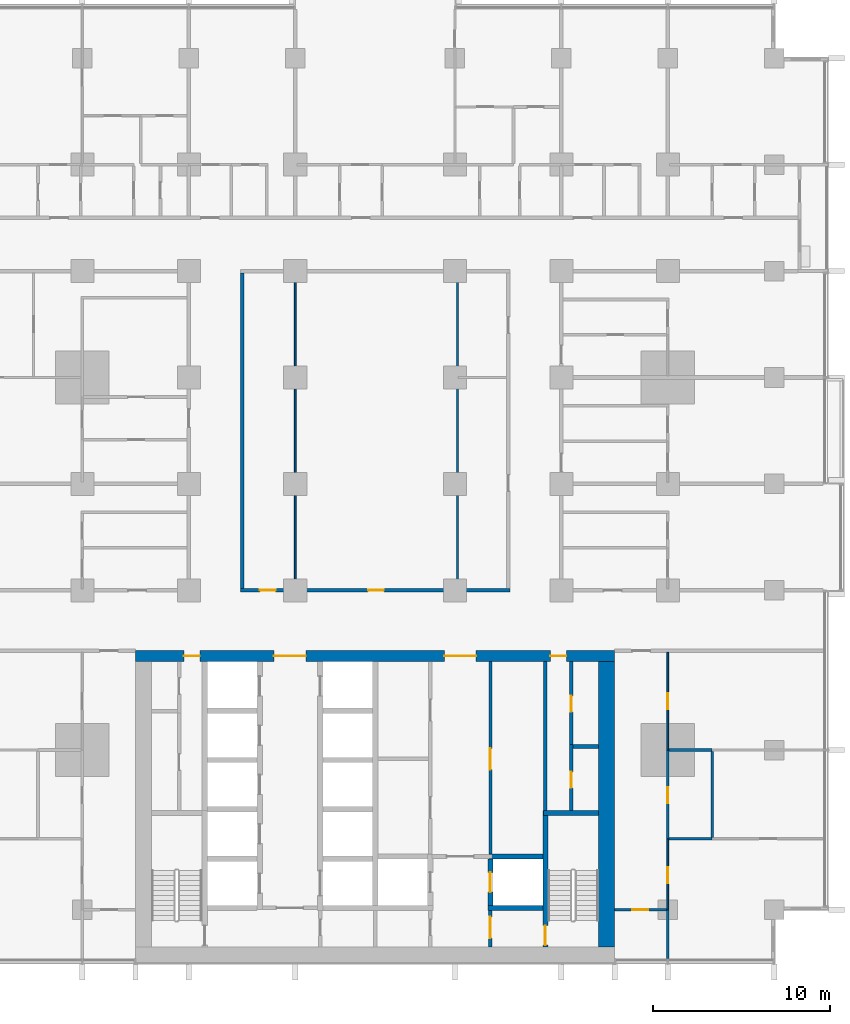
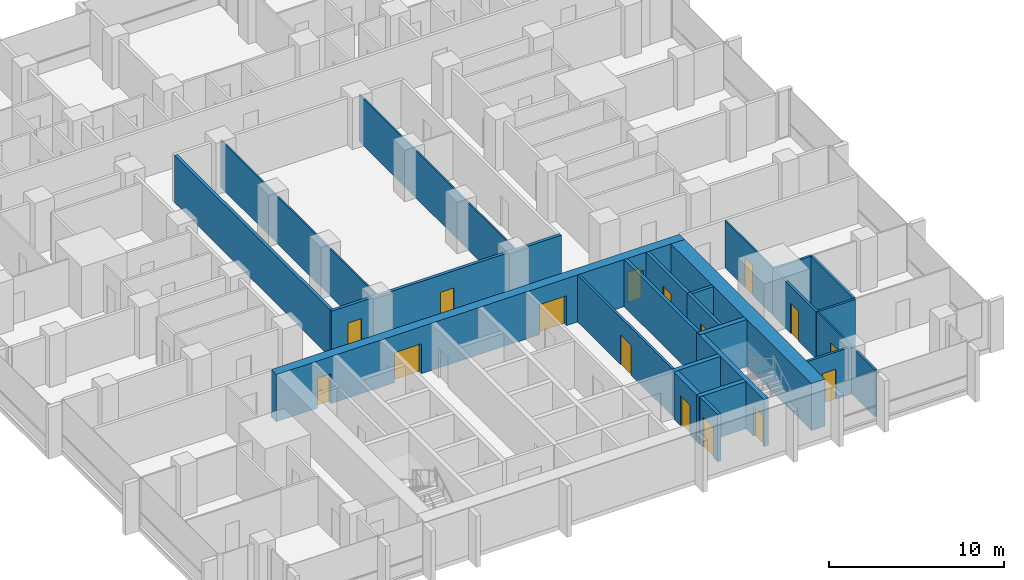
# One storey, part 9 of 18: 25 walls, 16 doors, 16 openings.
"""IFC4 building model written with IfcOpenShell, lengths in metres."""

from ifc_helpers import new_model, si_unit, direction, frame, frame_2d, origin, place, context, subcontext, project, spatial, rectangle, extrude, material, layer, layer_set, type_object, element, fill, save


model = new_model("IFC4")

# Units and contexts
model_context = context("Model", 3, precision=1e-05, world=origin(), true_north=direction((0.0, 1.0)))
body_context = subcontext(model_context, "Body", "Model", "MODEL_VIEW")
ifc_project = project(units=[si_unit("LENGTHUNIT", "METRE"), si_unit("AREAUNIT", "SQUARE_METRE"), si_unit("VOLUMEUNIT", "CUBIC_METRE"), si_unit("PLANEANGLEUNIT", "RADIAN"), si_unit("MASSUNIT", "GRAM", prefix="KILO")], contexts=[model_context])

# Site, building, storey
site_placement = place(None, origin())
site = spatial("IfcSite", under=ifc_project, at=site_placement, CompositionType="ELEMENT")
building_placement = place(site_placement, origin())
building = spatial("IfcBuilding", under=site, at=building_placement, Name="Finial Court Residences", CompositionType="ELEMENT")
storey_placement = place(building_placement, frame((0.0, 0.0, 54.10009765625)))
storey = spatial("IfcBuildingStorey", under=building, at=storey_placement, Name="L12", CompositionType="ELEMENT", Elevation=54.10009765625)

# Wall, openings, doors
ifc_material_1 = material(Name="Concrete C80/95", Category="concrete")
ifc_layer_1 = layer(ifc_material_1, 0.60009765625)
ifc_layer_set_1 = layer_set([ifc_layer_1], Name="Core outer wall 600 Concrete C80/95")
wall_type_1 = type_object("IfcWallType", Name="Core outer wall 600 Concrete C80/95", PredefinedType="SHEAR", material=ifc_layer_set_1)
wall_1_placement = place(storey_placement, frame((-13.5, -8.199951171875, 0.0), z_axis=(0.0, 0.0, 1.0), x_axis=(1.0, 0.0, 0.0)))
wall_1 = element("IfcWall", 1, at=wall_1_placement, inside=storey, type_object=wall_type_1, Name="Core outer wall L12-02", PredefinedType="SHEAR", context=body_context, shape_type="SweptSolid", body=[
    extrude(rectangle(XDim=27.0, YDim=0.60009765625, at=frame_2d((13.5, 0.0))), origin(), (0.0, 0.0, 1.0), 3.2998046875),
])
opening_1_placement = place(wall_1_placement, frame((7.800048828125, 0.0, 0.0)))
opening_1 = element("IfcOpeningElement", 2, at=opening_1_placement, cuts=wall_1, Name="Opening L12-C04", PredefinedType="OPENING", context=body_context, shape_type="SweptSolid", body=[
    extrude(rectangle(XDim=1.800048828125, YDim=2.10009765625, at=frame_2d((0.89990234375, 1.050048828125))), frame((0.0, 0.31005859375, 0.0), z_axis=(0.0, -1.0, 0.0), x_axis=(1.0, 0.0, 0.0)), (0.0, 0.0, 1.0), 0.6201171875),
])
opening_2_placement = place(wall_1_placement, frame((17.39990234375, 0.0, 0.0)))
opening_2 = element("IfcOpeningElement", 3, at=opening_2_placement, cuts=wall_1, Name="Opening L12-C05", PredefinedType="OPENING", context=body_context, shape_type="SweptSolid", body=[
    extrude(rectangle(XDim=1.800048828125, YDim=2.10009765625, at=frame_2d((0.89990234375, 1.050048828125))), frame((0.0, 0.31005859375, 0.0), z_axis=(0.0, -1.0, 0.0), x_axis=(1.0, 0.0, 0.0)), (0.0, 0.0, 1.0), 0.6201171875),
])
opening_3_placement = place(wall_1_placement, frame((2.72509765625, 0.0, 0.0)))
opening_3 = element("IfcOpeningElement", 4, at=opening_3_placement, cuts=wall_1, Name="Opening L12-C11", PredefinedType="OPENING", context=body_context, shape_type="SweptSolid", body=[
    extrude(rectangle(XDim=0.89990234375, YDim=2.10009765625, at=frame_2d((0.449951171875, 1.050048828125))), frame((0.0, 0.31005859375, 0.0), z_axis=(0.0, -1.0, 0.0), x_axis=(1.0, 0.0, 0.0)), (0.0, 0.0, 1.0), 0.6201171875),
])
opening_4_placement = place(wall_1_placement, frame((23.375, 0.0, 0.0)))
opening_4 = element("IfcOpeningElement", 5, at=opening_4_placement, cuts=wall_1, Name="Opening L12-C12", PredefinedType="OPENING", context=body_context, shape_type="SweptSolid", body=[
    extrude(rectangle(XDim=0.89990234375, YDim=2.10009765625, at=frame_2d((0.449951171875, 1.050048828125))), frame((0.0, 0.31005859375, 0.0), z_axis=(0.0, -1.0, 0.0), x_axis=(1.0, 0.0, 0.0)), (0.0, 0.0, 1.0), 0.6201171875),
])
ifc_material_2 = material(Name="Steel fire door", Category="steel")
door_type_1 = type_object("IfcDoorType", Name="Lift lobby door 1800 x 2100 EI 60", OperationType="DOUBLE_DOOR_SINGLE_SWING", PredefinedType="DOOR", material=ifc_material_2)
door_1_placement = place(opening_1_placement, origin())
door_1 = element("IfcDoor", 6, at=door_1_placement, inside=storey, type_object=door_type_1, Name="Lift lobby door L12-C04", OperationType="DOUBLE_DOOR_SINGLE_SWING", OverallHeight=2.10009765625, OverallWidth=1.800048828125, PredefinedType="DOOR", context=body_context, shape_type="SweptSolid", body=[
    extrude(rectangle(XDim=1.800048828125, YDim=2.10009765625, at=frame_2d((0.89990234375, 1.050048828125))), frame((0.0, 0.02490234375, 0.0), z_axis=(0.0, -1.0, 0.0), x_axis=(1.0, 0.0, 0.0)), (0.0, 0.0, 1.0), 0.050048828125),
])
fill(opening_1, door_1)
door_2_placement = place(opening_2_placement, origin())
door_2 = element("IfcDoor", 7, at=door_2_placement, inside=storey, type_object=door_type_1, Name="Lift lobby door L12-C05", OperationType="DOUBLE_DOOR_SINGLE_SWING", OverallHeight=2.10009765625, OverallWidth=1.800048828125, PredefinedType="DOOR", context=body_context, shape_type="SweptSolid", body=[
    extrude(rectangle(XDim=1.800048828125, YDim=2.10009765625, at=frame_2d((0.89990234375, 1.050048828125))), frame((0.0, 0.02490234375, 0.0), z_axis=(0.0, -1.0, 0.0), x_axis=(1.0, 0.0, 0.0)), (0.0, 0.0, 1.0), 0.050048828125),
])
fill(opening_2, door_2)
door_type_2 = type_object("IfcDoorType", Name="Riser room door 900 x 2100 EI 90", OperationType="NOTDEFINED", PredefinedType="DOOR", material=ifc_material_2)
door_3_placement = place(opening_3_placement, origin())
door_3 = element("IfcDoor", 8, at=door_3_placement, inside=storey, type_object=door_type_2, Name="Riser room door L12-C11", OperationType="SINGLE_SWING_RIGHT", OverallHeight=2.10009765625, OverallWidth=0.89990234375, PredefinedType="DOOR", context=body_context, shape_type="SweptSolid", body=[
    extrude(rectangle(XDim=0.89990234375, YDim=2.10009765625, at=frame_2d((0.449951171875, 1.050048828125))), frame((0.0, 0.02490234375, 0.0), z_axis=(0.0, -1.0, 0.0), x_axis=(1.0, 0.0, 0.0)), (0.0, 0.0, 1.0), 0.050048828125),
])
fill(opening_3, door_3)
door_4_placement = place(opening_4_placement, origin())
door_4 = element("IfcDoor", 9, at=door_4_placement, inside=storey, type_object=door_type_2, Name="Riser room door L12-C12", OperationType="SINGLE_SWING_LEFT", OverallHeight=2.10009765625, OverallWidth=0.89990234375, PredefinedType="DOOR", context=body_context, shape_type="SweptSolid", body=[
    extrude(rectangle(XDim=0.89990234375, YDim=2.10009765625, at=frame_2d((0.449951171875, 1.050048828125))), frame((0.0, 0.02490234375, 0.0), z_axis=(0.0, -1.0, 0.0), x_axis=(1.0, 0.0, 0.0)), (0.0, 0.0, 1.0), 0.050048828125),
])
fill(opening_4, door_4)

# Wall
ifc_layer_2 = layer(ifc_material_1, 0.89990234375)
ifc_layer_set_2 = layer_set([ifc_layer_2], Name="Core outer wall 900 Concrete C80/95")
wall_type_2 = type_object("IfcWallType", Name="Core outer wall 900 Concrete C80/95", PredefinedType="SHEAR", material=ifc_layer_set_2)
wall_2_placement = place(storey_placement, frame((13.050048828125, -24.60009765625, 0.0), z_axis=(0.0, 0.0, 1.0), x_axis=(0.0, 1.0, 0.0)))
element("IfcWall", 10, at=wall_2_placement, inside=storey, type_object=wall_type_2, Name="Core outer wall L12-04", PredefinedType="SHEAR", context=body_context, shape_type="SweptSolid", body=[
    extrude(rectangle(XDim=16.10009765625, YDim=0.89990234375, at=frame_2d((8.050048828125, 0.0))), origin(), (0.0, 0.0, 1.0), 3.2998046875),
])

# Wall, opening, door
ifc_material_3 = material(Name="Fire-rated gypsum board partition")
ifc_layer_3 = layer(ifc_material_3, 0.14990234375)
ifc_layer_set_3 = layer_set([ifc_layer_3], Name="Core room partition 150 EI 60")
wall_type_3 = type_object("IfcWallType", Name="Core room partition 150 EI 60", PredefinedType="PARTITIONING", material=ifc_layer_set_3)
wall_3_placement = place(storey_placement, frame((6.5, -8.5, 0.0), z_axis=(0.0, 0.0, 1.0), x_axis=(0.0, -1.0, 0.0)))
wall_3 = element("IfcWall", 11, at=wall_3_placement, inside=storey, type_object=wall_type_3, Name="Core partition L12-35", PredefinedType="PARTITIONING", context=body_context, shape_type="SweptSolid", body=[
    extrude(rectangle(XDim=10.85009765625, YDim=0.14990234375, at=frame_2d((5.425048828125, 0.0))), origin(), (0.0, 0.0, 1.0), 3.2998046875),
])
opening_5_placement = place(wall_3_placement, frame((4.89990234375, 0.0, 0.0)))
opening_5 = element("IfcOpeningElement", 12, at=opening_5_placement, cuts=wall_3, Name="Opening L12-C16", PredefinedType="OPENING", context=body_context, shape_type="SweptSolid", body=[
    extrude(rectangle(XDim=1.199951171875, YDim=2.10009765625, at=frame_2d((0.60009765625, 1.050048828125))), frame((0.0, 0.0849609375, 0.0), z_axis=(0.0, -1.0, 0.0), x_axis=(1.0, 0.0, 0.0)), (0.0, 0.0, 1.0), 0.169921875),
])
door_type_3 = type_object("IfcDoorType", Name="Core room door 1200 x 2100 EI 60", OperationType="NOTDEFINED", PredefinedType="DOOR", material=ifc_material_2)
door_5_placement = place(opening_5_placement, origin())
door_5 = element("IfcDoor", 13, at=door_5_placement, inside=storey, type_object=door_type_3, Name="Core room door L12-C16", OperationType="SINGLE_SWING_RIGHT", OverallHeight=2.10009765625, OverallWidth=1.199951171875, PredefinedType="DOOR", context=body_context, shape_type="SweptSolid", body=[
    extrude(rectangle(XDim=1.199951171875, YDim=2.10009765625, at=frame_2d((0.60009765625, 1.050048828125))), frame((0.0, 0.02490234375, 0.0), z_axis=(0.0, -1.0, 0.0), x_axis=(1.0, 0.0, 0.0)), (0.0, 0.0, 1.0), 0.050048828125),
])
fill(opening_5, door_5)

# Wall, openings, doors
ifc_material_4 = material(Name="Gypsum board")
ifc_layer_4 = layer(ifc_material_4, 0.02490234375)
ifc_material_5 = material(Name="Acoustic mineral wool in double frame")
ifc_layer_5 = layer(ifc_material_5, 0.14990234375)
ifc_layer_6 = layer(ifc_material_4, 0.02490234375)
ifc_layer_set_4 = layer_set([ifc_layer_4, ifc_layer_5, ifc_layer_6], Name="Corridor wall 200, 1 hour")
wall_type_4 = type_object("IfcWallType", Name="Corridor wall 200, 1 hour", PredefinedType="PARTITIONING", material=ifc_layer_set_4)
wall_4_placement = place(storey_placement, frame((-7.60009765625, -4.5, 0.0), z_axis=(0.0, 0.0, 1.0), x_axis=(1.0, 0.0, 0.0)))
wall_4 = element("IfcWall", 14, at=wall_4_placement, inside=storey, type_object=wall_type_4, Name="Partition L12-013", PredefinedType="PARTITIONING", context=body_context, shape_type="SweptSolid", body=[
    extrude(rectangle(XDim=15.2001953125, YDim=0.199951171875, at=frame_2d((7.60009765625, 0.0))), origin(), (0.0, 0.0, 1.0), 3.2998046875),
])
opening_6_placement = place(wall_4_placement, frame((1.10009765625, 0.0, 0.0)))
opening_6 = element("IfcOpeningElement", 15, at=opening_6_placement, cuts=wall_4, Name="Opening L12-D008", PredefinedType="OPENING", context=body_context, shape_type="SweptSolid", body=[
    extrude(rectangle(XDim=0.89990234375, YDim=2.10009765625, at=frame_2d((0.449951171875, 1.050048828125))), frame((0.0, 0.10986328125, 0.0), z_axis=(0.0, -1.0, 0.0), x_axis=(1.0, 0.0, 0.0)), (0.0, 0.0, 1.0), 0.219970703125),
])
opening_7_placement = place(wall_4_placement, frame((7.199951171875, 0.0, 0.0)))
opening_7 = element("IfcOpeningElement", 16, at=opening_7_placement, cuts=wall_4, Name="Opening L12-D009", PredefinedType="OPENING", context=body_context, shape_type="SweptSolid", body=[
    extrude(rectangle(XDim=0.89990234375, YDim=2.10009765625, at=frame_2d((0.449951171875, 1.050048828125))), frame((0.0, 0.10986328125, 0.0), z_axis=(0.0, -1.0, 0.0), x_axis=(1.0, 0.0, 0.0)), (0.0, 0.0, 1.0), 0.219970703125),
])
ifc_material_6 = material(Name="Timber door leaf in hollow metal frame", Category="wood")
door_type_4 = type_object("IfcDoorType", Name="Fire door set 900 x 2100, 30 minutes", OperationType="SINGLE_SWING_LEFT", PredefinedType="DOOR", material=ifc_material_6)
door_6_placement = place(opening_6_placement, origin())
door_6 = element("IfcDoor", 17, at=door_6_placement, inside=storey, type_object=door_type_4, Name="Door L12-D008", OperationType="SINGLE_SWING_RIGHT", OverallHeight=2.10009765625, OverallWidth=0.89990234375, PredefinedType="DOOR", context=body_context, shape_type="SweptSolid", body=[
    extrude(rectangle(XDim=0.89990234375, YDim=2.10009765625, at=frame_2d((0.449951171875, 1.050048828125))), frame((0.0, 0.02490234375, 0.0), z_axis=(0.0, -1.0, 0.0), x_axis=(1.0, 0.0, 0.0)), (0.0, 0.0, 1.0), 0.050048828125),
])
fill(opening_6, door_6)
door_7_placement = place(opening_7_placement, origin())
door_7 = element("IfcDoor", 18, at=door_7_placement, inside=storey, type_object=door_type_4, Name="Door L12-D009", OperationType="SINGLE_SWING_RIGHT", OverallHeight=2.10009765625, OverallWidth=0.89990234375, PredefinedType="DOOR", context=body_context, shape_type="SweptSolid", body=[
    extrude(rectangle(XDim=0.89990234375, YDim=2.10009765625, at=frame_2d((0.449951171875, 1.050048828125))), frame((0.0, 0.02490234375, 0.0), z_axis=(0.0, -1.0, 0.0), x_axis=(1.0, 0.0, 0.0)), (0.0, 0.0, 1.0), 0.050048828125),
])
fill(opening_7, door_7)

# Wall
wall_5_placement = place(storey_placement, frame((-7.5, -4.39990234375, 0.0), z_axis=(0.0, 0.0, 1.0), x_axis=(0.0, 1.0, 0.0)))
element("IfcWall", 19, at=wall_5_placement, inside=storey, type_object=wall_type_4, Name="Partition L12-077", PredefinedType="PARTITIONING", context=body_context, shape_type="SweptSolid", body=[
    extrude(rectangle(XDim=17.7998046875, YDim=0.199951171875, at=frame_2d((8.89990234375, 0.0))), origin(), (0.0, 0.0, 1.0), 3.2998046875),
])

# Wall, opening, door
ifc_layer_7 = layer(ifc_material_3, 0.199951171875)
ifc_layer_set_5 = layer_set([ifc_layer_7], Name="Firefighting lobby wall 200 EI 120")
wall_type_5 = type_object("IfcWallType", Name="Firefighting lobby wall 200 EI 120", PredefinedType="PARTITIONING", material=ifc_layer_set_5)
wall_6_placement = place(storey_placement, frame((6.5, -22.550048828125, 0.0), z_axis=(0.0, 0.0, 1.0), x_axis=(0.0, -1.0, 0.0)))
wall_6 = element("IfcWall", 20, at=wall_6_placement, inside=storey, type_object=wall_type_5, Name="Core partition L12-33", PredefinedType="PARTITIONING", context=body_context, shape_type="SweptSolid", body=[
    extrude(rectangle(XDim=2.050048828125, YDim=0.199951171875, at=frame_2d((1.02490234375, 0.0))), origin(), (0.0, 0.0, 1.0), 3.2998046875),
])
opening_8_placement = place(wall_6_placement, frame((0.35009765625, 0.0, 0.0)))
opening_8 = element("IfcOpeningElement", 21, at=opening_8_placement, cuts=wall_6, Name="Opening L12-C01", PredefinedType="OPENING", context=body_context, shape_type="SweptSolid", body=[
    extrude(rectangle(XDim=1.199951171875, YDim=2.10009765625, at=frame_2d((0.60009765625, 1.050048828125))), frame((0.0, 0.10986328125, 0.0), z_axis=(0.0, -1.0, 0.0), x_axis=(1.0, 0.0, 0.0)), (0.0, 0.0, 1.0), 0.219970703125),
])
door_type_5 = type_object("IfcDoorType", Name="Firefighting lobby door 1200 x 2100 EI 90", OperationType="NOTDEFINED", PredefinedType="DOOR", material=ifc_material_2)
door_8_placement = place(opening_8_placement, origin())
door_8 = element("IfcDoor", 22, at=door_8_placement, inside=storey, type_object=door_type_5, Name="Firefighting lobby door L12-C01", OperationType="SINGLE_SWING_RIGHT", OverallHeight=2.10009765625, OverallWidth=1.199951171875, PredefinedType="DOOR", context=body_context, shape_type="SweptSolid", body=[
    extrude(rectangle(XDim=1.199951171875, YDim=2.10009765625, at=frame_2d((0.60009765625, 1.050048828125))), frame((0.0, 0.02490234375, 0.0), z_axis=(0.0, -1.0, 0.0), x_axis=(1.0, 0.0, 0.0)), (0.0, 0.0, 1.0), 0.050048828125),
])
fill(opening_8, door_8)

# Walls
ifc_layer_8 = layer(ifc_material_4, 0.012451171875)
ifc_material_7 = material(Name="Mineral wool in light-gauge frame")
ifc_layer_9 = layer(ifc_material_7, 0.074951171875)
ifc_layer_10 = layer(ifc_material_4, 0.012451171875)
ifc_layer_set_6 = layer_set([ifc_layer_8, ifc_layer_9, ifc_layer_10], Name="Gypsum board partition 100")
wall_type_6 = type_object("IfcWallType", Name="Gypsum board partition 100", PredefinedType="PARTITIONING", material=ifc_layer_set_6)
for number, where, z_axis, x_axis, name in (
    (23, (-4.5, -4.39990234375, 0.0), (0.0, 0.0, 1.0), (0.0, 1.0, 0.0), "Partition L12-079"),
    (24, (4.64990234375, -4.39990234375, 0.0), (0.0, 0.0, 1.0), (0.0, 1.0, 0.0), "Partition L12-084"),
):
    element("IfcWall", number, at=place(storey_placement, frame(where, z_axis=z_axis, x_axis=x_axis)), inside=storey, type_object=wall_type_6, Name=name, PredefinedType="PARTITIONING", context=body_context, shape_type="SweptSolid", body=[
        extrude(rectangle(XDim=17.7998046875, YDim=0.10009765625, at=frame_2d((8.89990234375, 0.0))), origin(), (0.0, 0.0, 1.0), 3.2998046875),
    ])

# Wall, opening, door
wall_7_placement = place(storey_placement, frame((16.5, -22.5, 0.0), z_axis=(0.0, 0.0, 1.0), x_axis=(0.0, 1.0, 0.0)))
wall_7 = element("IfcWall", 25, at=wall_7_placement, inside=storey, type_object=wall_type_6, Name="Partition L12-094", PredefinedType="PARTITIONING", context=body_context, shape_type="SweptSolid", body=[
    extrude(rectangle(XDim=4.0, YDim=0.10009765625, at=frame_2d((2.0, 0.0))), origin(), (0.0, 0.0, 1.0), 3.2998046875),
])
opening_9_placement = place(wall_7_placement, frame((1.5, 0.0, 0.0)))
opening_9 = element("IfcOpeningElement", 26, at=opening_9_placement, cuts=wall_7, Name="Opening L12-D054", PredefinedType="OPENING", context=body_context, shape_type="SweptSolid", body=[
    extrude(rectangle(XDim=0.89990234375, YDim=2.10009765625, at=frame_2d((0.449951171875, 1.050048828125))), frame((0.0, 0.06005859375, 0.0), z_axis=(0.0, -1.0, 0.0), x_axis=(1.0, 0.0, 0.0)), (0.0, 0.0, 1.0), 0.1201171875),
])
ifc_material_8 = material(Name="Timber door leaf in timber frame", Category="wood")
door_type_6 = type_object("IfcDoorType", Name="Door set 900 x 2100", OperationType="SINGLE_SWING_LEFT", PredefinedType="DOOR", material=ifc_material_8)
door_9_placement = place(opening_9_placement, origin())
door_9 = element("IfcDoor", 27, at=door_9_placement, inside=storey, type_object=door_type_6, Name="Door L12-D054", OperationType="SINGLE_SWING_RIGHT", OverallHeight=2.10009765625, OverallWidth=0.89990234375, PredefinedType="DOOR", context=body_context, shape_type="SweptSolid", body=[
    extrude(rectangle(XDim=0.89990234375, YDim=2.10009765625, at=frame_2d((0.449951171875, 1.050048828125))), frame((0.0, 0.02490234375, 0.0), z_axis=(0.0, -1.0, 0.0), x_axis=(1.0, 0.0, 0.0)), (0.0, 0.0, 1.0), 0.050048828125),
])
fill(opening_9, door_9)

wall_8_placement = place(storey_placement, frame((16.5, -13.5, 0.0), z_axis=(0.0, 0.0, 1.0), x_axis=(0.0, 1.0, 0.0)))
wall_8 = element("IfcWall", 28, at=wall_8_placement, inside=storey, type_object=wall_type_6, Name="Partition L12-095", PredefinedType="PARTITIONING", context=body_context, shape_type="SweptSolid", body=[
    extrude(rectangle(XDim=5.5, YDim=0.10009765625, at=frame_2d((2.75, 0.0))), origin(), (0.0, 0.0, 1.0), 3.2998046875),
])
opening_10_placement = place(wall_8_placement, frame((2.300048828125, 0.0, 0.0)))
opening_10 = element("IfcOpeningElement", 29, at=opening_10_placement, cuts=wall_8, Name="Opening L12-D055", PredefinedType="OPENING", context=body_context, shape_type="SweptSolid", body=[
    extrude(rectangle(XDim=0.89990234375, YDim=2.10009765625, at=frame_2d((0.449951171875, 1.050048828125))), frame((0.0, 0.06005859375, 0.0), z_axis=(0.0, -1.0, 0.0), x_axis=(1.0, 0.0, 0.0)), (0.0, 0.0, 1.0), 0.1201171875),
])
door_10_placement = place(opening_10_placement, origin())
door_10 = element("IfcDoor", 30, at=door_10_placement, inside=storey, type_object=door_type_6, Name="Door L12-D055", OperationType="SINGLE_SWING_LEFT", OverallHeight=2.10009765625, OverallWidth=0.89990234375, PredefinedType="DOOR", context=body_context, shape_type="SweptSolid", body=[
    extrude(rectangle(XDim=0.89990234375, YDim=2.10009765625, at=frame_2d((0.449951171875, 1.050048828125))), frame((0.0, 0.02490234375, 0.0), z_axis=(0.0, -1.0, 0.0), x_axis=(1.0, 0.0, 0.0)), (0.0, 0.0, 1.0), 0.050048828125),
])
fill(opening_10, door_10)

ifc_material_9 = material(Name="Moisture-resistant gypsum board")
ifc_layer_11 = layer(ifc_material_9, 0.012451171875)
ifc_layer_12 = layer(ifc_material_7, 0.125)
ifc_layer_13 = layer(ifc_material_9, 0.012451171875)
ifc_layer_set_7 = layer_set([ifc_layer_11, ifc_layer_12, ifc_layer_13], Name="Gypsum board wet-area partition 150")
wall_type_7 = type_object("IfcWallType", Name="Gypsum board wet-area partition 150", PredefinedType="PARTITIONING", material=ifc_layer_set_7)
wall_9_placement = place(storey_placement, frame((13.5, -22.5, 0.0), z_axis=(0.0, 0.0, 1.0), x_axis=(1.0, 0.0, 0.0)))
wall_9 = element("IfcWall", 31, at=wall_9_placement, inside=storey, type_object=wall_type_7, Name="Partition L12-001", PredefinedType="PARTITIONING", context=body_context, shape_type="SweptSolid", body=[
    extrude(rectangle(XDim=2.925048828125, YDim=0.14990234375, at=frame_2d((1.46240234375, 0.0))), origin(), (0.0, 0.0, 1.0), 3.2998046875),
])
opening_11_placement = place(wall_9_placement, frame((1.0, 0.0, 0.0)))
opening_11 = element("IfcOpeningElement", 32, at=opening_11_placement, cuts=wall_9, Name="Opening L12-D002", PredefinedType="OPENING", context=body_context, shape_type="SweptSolid", body=[
    extrude(rectangle(XDim=0.89990234375, YDim=2.10009765625, at=frame_2d((0.449951171875, 1.050048828125))), frame((0.0, 0.0849609375, 0.0), z_axis=(0.0, -1.0, 0.0), x_axis=(1.0, 0.0, 0.0)), (0.0, 0.0, 1.0), 0.169921875),
])
door_11_placement = place(opening_11_placement, origin())
door_11 = element("IfcDoor", 33, at=door_11_placement, inside=storey, type_object=door_type_6, Name="Door L12-D002", OperationType="SINGLE_SWING_LEFT", OverallHeight=2.10009765625, OverallWidth=0.89990234375, PredefinedType="DOOR", context=body_context, shape_type="SweptSolid", body=[
    extrude(rectangle(XDim=0.89990234375, YDim=2.10009765625, at=frame_2d((0.449951171875, 1.050048828125))), frame((0.0, 0.02490234375, 0.0), z_axis=(0.0, -1.0, 0.0), x_axis=(1.0, 0.0, 0.0)), (0.0, 0.0, 1.0), 0.050048828125),
])
fill(opening_11, door_11)

# Walls
for number, where, z_axis, x_axis, name in (
    (34, (16.574951171875, -18.5, 0.0), (0.0, 0.0, 1.0), (1.0, 0.0, 0.0), "Partition L12-005"),
    (35, (16.574951171875, -13.5, 0.0), (0.0, 0.0, 1.0), (1.0, 0.0, 0.0), "Partition L12-009"),
):
    element("IfcWall", number, at=place(storey_placement, frame(where, z_axis=z_axis, x_axis=x_axis)), inside=storey, type_object=wall_type_7, Name=name, PredefinedType="PARTITIONING", context=body_context, shape_type="SweptSolid", body=[
        extrude(rectangle(XDim=2.425048828125, YDim=0.14990234375, at=frame_2d((1.21240234375, 0.0))), origin(), (0.0, 0.0, 1.0), 3.2998046875),
    ])
wall_10_placement = place(storey_placement, frame((16.5, -25.25, 0.0), z_axis=(0.0, 0.0, 1.0), x_axis=(0.0, 1.0, 0.0)))
element("IfcWall", 36, at=wall_10_placement, inside=storey, type_object=wall_type_7, Name="Partition L12-100", PredefinedType="PARTITIONING", context=body_context, shape_type="SweptSolid", body=[
    extrude(rectangle(XDim=2.75, YDim=0.14990234375, at=frame_2d((1.375, 0.0))), origin(), (0.0, 0.0, 1.0), 3.2998046875),
])

# Wall, opening, door
wall_11_placement = place(storey_placement, frame((16.5, -18.5, 0.0), z_axis=(0.0, 0.0, 1.0), x_axis=(0.0, 1.0, 0.0)))
wall_11 = element("IfcWall", 37, at=wall_11_placement, inside=storey, type_object=wall_type_7, Name="Partition L12-101", PredefinedType="PARTITIONING", context=body_context, shape_type="SweptSolid", body=[
    extrude(rectangle(XDim=5.0, YDim=0.14990234375, at=frame_2d((2.5, 0.0))), origin(), (0.0, 0.0, 1.0), 3.2998046875),
])
opening_12_placement = place(wall_11_placement, frame((2.0, 0.0, 0.0)))
opening_12 = element("IfcOpeningElement", 38, at=opening_12_placement, cuts=wall_11, Name="Opening L12-D058", PredefinedType="OPENING", context=body_context, shape_type="SweptSolid", body=[
    extrude(rectangle(XDim=0.89990234375, YDim=2.10009765625, at=frame_2d((0.449951171875, 1.050048828125))), frame((0.0, 0.0849609375, 0.0), z_axis=(0.0, -1.0, 0.0), x_axis=(1.0, 0.0, 0.0)), (0.0, 0.0, 1.0), 0.169921875),
])
door_12_placement = place(opening_12_placement, origin())
door_12 = element("IfcDoor", 39, at=door_12_placement, inside=storey, type_object=door_type_6, Name="Door L12-D058", OperationType="SINGLE_SWING_LEFT", OverallHeight=2.10009765625, OverallWidth=0.89990234375, PredefinedType="DOOR", context=body_context, shape_type="SweptSolid", body=[
    extrude(rectangle(XDim=0.89990234375, YDim=2.10009765625, at=frame_2d((0.449951171875, 1.050048828125))), frame((0.0, 0.02490234375, 0.0), z_axis=(0.0, -1.0, 0.0), x_axis=(1.0, 0.0, 0.0)), (0.0, 0.0, 1.0), 0.050048828125),
])
fill(opening_12, door_12)

# Walls
wall_12_placement = place(storey_placement, frame((19.0, -18.425048828125, 0.0), z_axis=(0.0, 0.0, 1.0), x_axis=(0.0, 1.0, 0.0)))
element("IfcWall", 40, at=wall_12_placement, inside=storey, type_object=wall_type_7, Name="Partition L12-105", PredefinedType="PARTITIONING", context=body_context, shape_type="SweptSolid", body=[
    extrude(rectangle(XDim=4.85009765625, YDim=0.14990234375, at=frame_2d((2.425048828125, 0.0))), origin(), (0.0, 0.0, 1.0), 3.2998046875),
])
ifc_layer_14 = layer(ifc_material_1, 0.300048828125)
ifc_layer_set_8 = layer_set([ifc_layer_14], Name="Lift shaft and stair wall 300 Concrete C80/95")
wall_type_8 = type_object("IfcWallType", Name="Lift shaft and stair wall 300 Concrete C80/95", PredefinedType="SHEAR", material=ifc_layer_set_8)
wall_13_placement = place(storey_placement, frame((6.35009765625, -22.39990234375, 0.0), z_axis=(0.0, 0.0, 1.0), x_axis=(1.0, 0.0, 0.0)))
element("IfcWall", 41, at=wall_13_placement, inside=storey, type_object=wall_type_8, Name="Core wall L12-04", PredefinedType="SHEAR", context=body_context, shape_type="SweptSolid", body=[
    extrude(rectangle(XDim=3.099853515625, YDim=0.300048828125, at=frame_2d((1.5498046875, 0.0))), origin(), (0.0, 0.0, 1.0), 3.2998046875),
])
wall_14_placement = place(storey_placement, frame((6.425048828125, -19.5, 0.0), z_axis=(0.0, 0.0, 1.0), x_axis=(1.0, 0.0, 0.0)))
element("IfcWall", 42, at=wall_14_placement, inside=storey, type_object=wall_type_8, Name="Core wall L12-09", PredefinedType="SHEAR", context=body_context, shape_type="SweptSolid", body=[
    extrude(rectangle(XDim=3.02490234375, YDim=0.300048828125, at=frame_2d((1.512451171875, 0.0))), origin(), (0.0, 0.0, 1.0), 3.2998046875),
])
wall_15_placement = place(storey_placement, frame((9.5, -17.050048828125, 0.0), z_axis=(0.0, 0.0, 1.0), x_axis=(1.0, 0.0, 0.0)))
element("IfcWall", 43, at=wall_15_placement, inside=storey, type_object=wall_type_8, Name="Core wall L12-11", PredefinedType="SHEAR", context=body_context, shape_type="SweptSolid", body=[
    extrude(rectangle(XDim=3.10009765625, YDim=0.300048828125, at=frame_2d((1.550048828125, 0.0))), origin(), (0.0, 0.0, 1.0), 3.2998046875),
])

# Wall, opening, door
wall_16_placement = place(storey_placement, frame((6.5, -22.25, 0.0), z_axis=(0.0, 0.0, 1.0), x_axis=(0.0, 1.0, 0.0)))
wall_16 = element("IfcWall", 44, at=wall_16_placement, inside=storey, type_object=wall_type_8, Name="Core wall L12-34", PredefinedType="SHEAR", context=body_context, shape_type="SweptSolid", body=[
    extrude(rectangle(XDim=2.60009765625, YDim=0.300048828125, at=frame_2d((1.300048828125, 0.0))), origin(), (0.0, 0.0, 1.0), 3.2998046875),
])
opening_13_placement = place(wall_16_placement, frame((0.75, 0.0, 0.0)))
opening_13 = element("IfcOpeningElement", 45, at=opening_13_placement, cuts=wall_16, Name="Opening L12-LD02", PredefinedType="OPENING", context=body_context, shape_type="SweptSolid", body=[
    extrude(rectangle(XDim=1.10009765625, YDim=2.10009765625, at=frame_2d((0.550048828125, 1.050048828125))), frame((0.0, 0.159912109375, 0.0), z_axis=(0.0, -1.0, 0.0), x_axis=(1.0, 0.0, 0.0)), (0.0, 0.0, 1.0), 0.320068359375),
])
ifc_material_10 = material(Name="Stainless steel lift door", Category="steel")
door_type_7 = type_object("IfcDoorType", Name="Lift landing door 1100 x 2100 EI 90", OperationType="DOUBLE_DOOR_SLIDING", PredefinedType="DOOR", material=ifc_material_10)
door_13_placement = place(opening_13_placement, origin())
door_13 = element("IfcDoor", 46, at=door_13_placement, inside=storey, type_object=door_type_7, Name="Lift landing door FF2 L12", OperationType="DOUBLE_DOOR_SLIDING", OverallHeight=2.10009765625, OverallWidth=1.10009765625, PredefinedType="DOOR", context=body_context, shape_type="SweptSolid", body=[
    extrude(rectangle(XDim=1.10009765625, YDim=2.10009765625, at=frame_2d((0.550048828125, 1.050048828125))), frame((0.0, 0.02490234375, 0.0), z_axis=(0.0, -1.0, 0.0), x_axis=(1.0, 0.0, 0.0)), (0.0, 0.0, 1.0), 0.050048828125),
])
fill(opening_13, door_13)

wall_17_placement = place(storey_placement, frame((9.60009765625, -16.89990234375, 0.0), z_axis=(0.0, 0.0, 1.0), x_axis=(0.0, -1.0, 0.0)))
wall_17 = element("IfcWall", 47, at=wall_17_placement, inside=storey, type_object=wall_type_8, Name="Core wall L12-36", PredefinedType="SHEAR", context=body_context, shape_type="SweptSolid", body=[
    extrude(rectangle(XDim=7.7001953125, YDim=0.300048828125, at=frame_2d((3.85009765625, 0.0))), origin(), (0.0, 0.0, 1.0), 3.2998046875),
])
opening_14_placement = place(wall_17_placement, frame((6.5, 0.0, 0.0)))
opening_14 = element("IfcOpeningElement", 48, at=opening_14_placement, cuts=wall_17, Name="Opening L12-C18", PredefinedType="OPENING", context=body_context, shape_type="SweptSolid", body=[
    extrude(rectangle(XDim=1.10009765625, YDim=2.10009765625, at=frame_2d((0.550048828125, 1.050048828125))), frame((0.0, 0.159912109375, 0.0), z_axis=(0.0, -1.0, 0.0), x_axis=(1.0, 0.0, 0.0)), (0.0, 0.0, 1.0), 0.320068359375),
])
door_type_8 = type_object("IfcDoorType", Name="Stair door 1100 x 2100 EI 90", OperationType="NOTDEFINED", PredefinedType="DOOR", material=ifc_material_2)
door_14_placement = place(opening_14_placement, origin())
door_14 = element("IfcDoor", 49, at=door_14_placement, inside=storey, type_object=door_type_8, Name="Stair door L12-C18", OperationType="SINGLE_SWING_RIGHT", OverallHeight=2.10009765625, OverallWidth=1.10009765625, PredefinedType="DOOR", context=body_context, shape_type="SweptSolid", body=[
    extrude(rectangle(XDim=1.10009765625, YDim=2.10009765625, at=frame_2d((0.550048828125, 1.050048828125))), frame((0.0, 0.02490234375, 0.0), z_axis=(0.0, -1.0, 0.0), x_axis=(1.0, 0.0, 0.0)), (0.0, 0.0, 1.0), 0.050048828125),
])
fill(opening_14, door_14)

# Wall
ifc_layer_15 = layer(ifc_material_3, 0.199951171875)
ifc_layer_set_9 = layer_set([ifc_layer_15], Name="Riser room wall 200 EI 120")
wall_type_9 = type_object("IfcWallType", Name="Riser room wall 200 EI 120", PredefinedType="PARTITIONING", material=ifc_layer_set_9)
wall_18_placement = place(storey_placement, frame((11.14990234375, -13.300048828125, 0.0), z_axis=(0.0, 0.0, 1.0), x_axis=(1.0, 0.0, 0.0)))
element("IfcWall", 50, at=wall_18_placement, inside=storey, type_object=wall_type_9, Name="Core partition L12-17", PredefinedType="PARTITIONING", context=body_context, shape_type="SweptSolid", body=[
    extrude(rectangle(XDim=1.4501953125, YDim=0.199951171875, at=frame_2d((0.72509765625, 0.0))), origin(), (0.0, 0.0, 1.0), 3.2998046875),
])

# Wall, opening, door
wall_19_placement = place(storey_placement, frame((11.050048828125, -8.5, 0.0), z_axis=(0.0, 0.0, 1.0), x_axis=(0.0, -1.0, 0.0)))
wall_19 = element("IfcWall", 51, at=wall_19_placement, inside=storey, type_object=wall_type_9, Name="Core partition L12-39", PredefinedType="PARTITIONING", context=body_context, shape_type="SweptSolid", body=[
    extrude(rectangle(XDim=4.89990234375, YDim=0.199951171875, at=frame_2d((2.449951171875, 0.0))), origin(), (0.0, 0.0, 1.0), 3.2998046875),
])
opening_15_placement = place(wall_19_placement, frame((1.949951171875, 0.0, 0.0)))
opening_15 = element("IfcOpeningElement", 52, at=opening_15_placement, cuts=wall_19, Name="Opening L12-C08", PredefinedType="OPENING", context=body_context, shape_type="SweptSolid", body=[
    extrude(rectangle(XDim=0.89990234375, YDim=2.10009765625, at=frame_2d((0.449951171875, 1.050048828125))), frame((0.0, 0.10986328125, 0.0), z_axis=(0.0, -1.0, 0.0), x_axis=(1.0, 0.0, 0.0)), (0.0, 0.0, 1.0), 0.219970703125),
])
door_15_placement = place(opening_15_placement, origin())
door_15 = element("IfcDoor", 53, at=door_15_placement, inside=storey, type_object=door_type_2, Name="Riser room door L12-C08", OperationType="SINGLE_SWING_RIGHT", OverallHeight=2.10009765625, OverallWidth=0.89990234375, PredefinedType="DOOR", context=body_context, shape_type="SweptSolid", body=[
    extrude(rectangle(XDim=0.89990234375, YDim=2.10009765625, at=frame_2d((0.449951171875, 1.050048828125))), frame((0.0, 0.02490234375, 0.0), z_axis=(0.0, -1.0, 0.0), x_axis=(1.0, 0.0, 0.0)), (0.0, 0.0, 1.0), 0.050048828125),
])
fill(opening_15, door_15)

# Wall
ifc_layer_16 = layer(ifc_material_3, 0.199951171875)
ifc_layer_set_10 = layer_set([ifc_layer_16], Name="Stair passage wall 200 EI 180")
wall_type_10 = type_object("IfcWallType", Name="Stair passage wall 200 EI 180", PredefinedType="PARTITIONING", material=ifc_layer_set_10)
wall_20_placement = place(storey_placement, frame((9.60009765625, -16.89990234375, 0.0), z_axis=(0.0, 0.0, 1.0), x_axis=(0.0, 1.0, 0.0)))
element("IfcWall", 54, at=wall_20_placement, inside=storey, type_object=wall_type_10, Name="Core partition L12-37", PredefinedType="PARTITIONING", context=body_context, shape_type="SweptSolid", body=[
    extrude(rectangle(XDim=8.39990234375, YDim=0.199951171875, at=frame_2d((4.199951171875, 0.0))), origin(), (0.0, 0.0, 1.0), 3.2998046875),
])

# Wall, opening, door
wall_21_placement = place(storey_placement, frame((11.050048828125, -13.199951171875, 0.0), z_axis=(0.0, 0.0, 1.0), x_axis=(0.0, -1.0, 0.0)))
wall_21 = element("IfcWall", 55, at=wall_21_placement, inside=storey, type_object=wall_type_10, Name="Core partition L12-38", PredefinedType="PARTITIONING", context=body_context, shape_type="SweptSolid", body=[
    extrude(rectangle(XDim=3.699951171875, YDim=0.199951171875, at=frame_2d((1.85009765625, 0.0))), origin(), (0.0, 0.0, 1.0), 3.2998046875),
])
opening_16_placement = place(wall_21_placement, frame((1.52490234375, 0.0, 0.0)))
opening_16 = element("IfcOpeningElement", 56, at=opening_16_placement, cuts=wall_21, Name="Opening L12-C15", PredefinedType="OPENING", context=body_context, shape_type="SweptSolid", body=[
    extrude(rectangle(XDim=0.89990234375, YDim=2.10009765625, at=frame_2d((0.449951171875, 1.050048828125))), frame((0.0, 0.10986328125, 0.0), z_axis=(0.0, -1.0, 0.0), x_axis=(1.0, 0.0, 0.0)), (0.0, 0.0, 1.0), 0.219970703125),
])
door_type_9 = type_object("IfcDoorType", Name="Core room door 900 x 2100 EI 60", OperationType="NOTDEFINED", PredefinedType="DOOR", material=ifc_material_2)
door_16_placement = place(opening_16_placement, origin())
door_16 = element("IfcDoor", 57, at=door_16_placement, inside=storey, type_object=door_type_9, Name="Core room door L12-C15", OperationType="SINGLE_SWING_RIGHT", OverallHeight=2.10009765625, OverallWidth=0.89990234375, PredefinedType="DOOR", context=body_context, shape_type="SweptSolid", body=[
    extrude(rectangle(XDim=0.89990234375, YDim=2.10009765625, at=frame_2d((0.449951171875, 1.050048828125))), frame((0.0, 0.02490234375, 0.0), z_axis=(0.0, -1.0, 0.0), x_axis=(1.0, 0.0, 0.0)), (0.0, 0.0, 1.0), 0.050048828125),
])
fill(opening_16, door_16)

save(model, "model.ifc")
